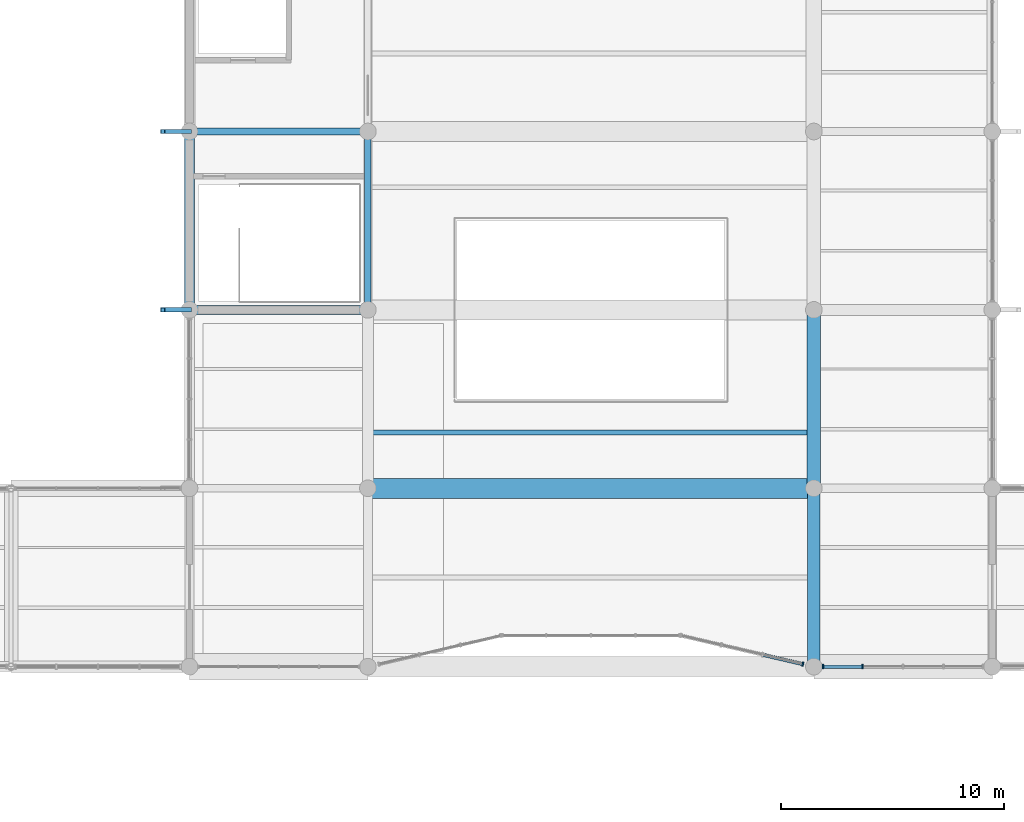
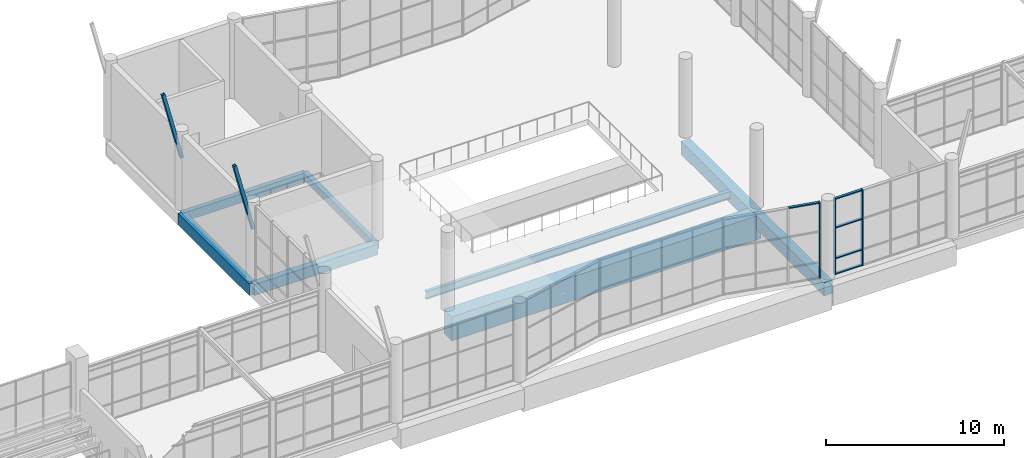
# One storey, part 25 of 122: 10 members, 8 beams, 2 elements without a shape of their own.
"""IFC4 building model written with IfcOpenShell, lengths in metres."""

from ifc_helpers import new_model, si_unit, direction, frame, origin, origin_2d, place, context, subcontext, project, spatial, rectangle, hollow_rectangle, i_section, extrude, material, material_profile, profile_set, type_object, element, aggregate, save


model = new_model("IFC4")

# Units and contexts
model_context = context("Model", 3, precision=1e-05, world=origin(), true_north=direction((0.0, 1.0)))
body_context = subcontext(model_context, "Body", "Model", "MODEL_VIEW")
ifc_project = project(units=[si_unit("LENGTHUNIT", "METRE"), si_unit("AREAUNIT", "SQUARE_METRE"), si_unit("VOLUMEUNIT", "CUBIC_METRE"), si_unit("PLANEANGLEUNIT", "RADIAN"), si_unit("MASSUNIT", "GRAM", prefix="KILO")], contexts=[model_context])

# Site, building, storey
site_placement = place(None, origin())
site = spatial("IfcSite", under=ifc_project, at=site_placement, CompositionType="ELEMENT")
building_placement = place(site_placement, origin())
building = spatial("IfcBuilding", under=site, at=building_placement, Name="Tenunan Teduh Sports Hall", CompositionType="ELEMENT")
storey_placement = place(building_placement, frame((0.0, 0.0, 5.39990234375)))
storey = spatial("IfcBuildingStorey", under=building, at=storey_placement, Name="L01", CompositionType="ELEMENT", Elevation=5.39990234375)

# Beams
ifc_material_1 = material(Name="Concrete C40/50", Category="concrete")
ifc_material_profile_1 = material_profile(ifc_material_1, rectangle(XDim=0.300048828125, YDim=0.5, at=origin_2d()), Name="RCB 300x500")
ifc_profile_set_1 = profile_set([ifc_material_profile_1], Name="Concrete C40/50")
beam_type_1 = type_object("IfcBeamType", Name="BM-RC-300x500", PredefinedType="BEAM", material=ifc_profile_set_1)
beam_1_placement = place(storey_placement, frame((78.0, 54.0, -0.60986328125), z_axis=(0.0, 1.0, 0.0), x_axis=(-1.0, 0.0, 0.0)))
element("IfcBeam", 1, at=beam_1_placement, inside=storey, type_object=beam_type_1, Name="BM-B-01-L01-1241", PredefinedType="BEAM", context=body_context, shape_type="SweptSolid", body=[
    extrude(rectangle(XDim=0.300048828125, YDim=0.5, at=origin_2d()), origin(), (0.0, 0.0, 1.0), 8.0),
])
ifc_material_2 = material(Name="Concrete C40/50", Category="concrete")
ifc_material_profile_2 = material_profile(ifc_material_2, rectangle(XDim=0.300048828125, YDim=0.60009765625, at=origin_2d()), Name="RCB 300x600")
ifc_profile_set_2 = profile_set([ifc_material_profile_2], Name="Concrete C40/50")
beam_type_2 = type_object("IfcBeamType", Name="BM-RC-300x600", PredefinedType="BEAM", material=ifc_profile_set_2)
beam_2_placement = place(storey_placement, frame((70.0, 62.0, -0.659912109375), z_axis=(1.0, 0.0, 0.0), x_axis=(0.0, 1.0, 0.0)))
element("IfcBeam", 2, at=beam_2_placement, inside=storey, type_object=beam_type_2, Name="BM-B-03-L01-1091", PredefinedType="BEAM", context=body_context, shape_type="SweptSolid", body=[
    extrude(rectangle(XDim=0.300048828125, YDim=0.60009765625, at=origin_2d()), origin(), (0.0, 0.0, 1.0), 8.0),
])
ifc_material_3 = material(Name="Concrete C40/50", Category="concrete")
ifc_material_profile_3 = material_profile(ifc_material_3, rectangle(XDim=0.39990234375, YDim=0.75, at=origin_2d()), Name="RCB 400x750")
ifc_profile_set_3 = profile_set([ifc_material_profile_3], Name="Concrete C40/50")
beam_type_3 = type_object("IfcBeamType", Name="BM-RC-400x750", PredefinedType="BEAM", material=ifc_profile_set_3)
beam_3_placement = place(storey_placement, frame((70.0, 54.0, -0.73486328125), z_axis=(1.0, 0.0, 0.0), x_axis=(0.0, 1.0, 0.0)))
element("IfcBeam", 3, at=beam_3_placement, inside=storey, type_object=beam_type_3, Name="BM-B-09-L01-1088", PredefinedType="BEAM", context=body_context, shape_type="SweptSolid", body=[
    extrude(rectangle(XDim=0.39990234375, YDim=0.75, at=origin_2d()), origin(), (0.0, 0.0, 1.0), 8.0),
])
ifc_material_4 = material(Name="Concrete C40/50", Category="concrete")
ifc_material_profile_4 = material_profile(ifc_material_4, rectangle(XDim=0.449951171875, YDim=0.800048828125, at=origin_2d()), Name="RCB 450x800")
ifc_profile_set_4 = profile_set([ifc_material_profile_4], Name="Concrete C40/50")
beam_type_4 = type_object("IfcBeamType", Name="BM-RC-450x800", PredefinedType="BEAM", material=ifc_profile_set_4)
beam_4_placement = place(storey_placement, frame((70.0, 54.0, -0.760009765625), z_axis=(0.0, 1.0, 0.0), x_axis=(-1.0, 0.0, 0.0)))
element("IfcBeam", 4, at=beam_4_placement, inside=storey, type_object=beam_type_4, Name="BM-B-12-L01-1233", PredefinedType="BEAM", context=body_context, shape_type="SweptSolid", body=[
    extrude(rectangle(XDim=0.449951171875, YDim=0.800048828125, at=origin_2d()), origin(), (0.0, 0.0, 1.0), 8.0),
])
ifc_material_5 = material(Name="Concrete C40/50", Category="concrete")
ifc_material_profile_5 = material_profile(ifc_material_5, rectangle(XDim=0.550048828125, YDim=0.89990234375, at=origin_2d()), Name="RCB 550x900")
ifc_profile_set_5 = profile_set([ifc_material_profile_5], Name="Concrete C40/50")
beam_type_5 = type_object("IfcBeamType", Name="BM-RC-550x900", PredefinedType="BEAM", material=ifc_profile_set_5)
beam_5_placement = place(storey_placement, frame((98.0, 38.0, -0.809814453125), z_axis=(0.0, 1.0, 0.0), x_axis=(-1.0, 0.0, 0.0)))
element("IfcBeam", 5, at=beam_5_placement, inside=storey, type_object=beam_type_5, Name="BM-B-16-L01-1246", PredefinedType="BEAM", context=body_context, shape_type="SweptSolid", body=[
    extrude(rectangle(XDim=0.550048828125, YDim=0.89990234375, at=origin_2d()), origin(), (0.0, 0.0, 1.0), 8.0),
])
ifc_material_6 = material(Name="Concrete C40/50", Category="concrete")
ifc_material_profile_6 = material_profile(ifc_material_6, rectangle(XDim=0.60009765625, YDim=0.89990234375, at=origin_2d()), Name="RCB 600x900")
ifc_profile_set_6 = profile_set([ifc_material_profile_6], Name="Concrete C40/50")
beam_type_6 = type_object("IfcBeamType", Name="BM-RC-600x900", PredefinedType="BEAM", material=ifc_profile_set_6)
beam_6_placement = place(storey_placement, frame((98.0, 46.0, -0.809814453125), z_axis=(0.0, 1.0, 0.0), x_axis=(-1.0, 0.0, 0.0)))
element("IfcBeam", 6, at=beam_6_placement, inside=storey, type_object=beam_type_6, Name="BM-B-17-L01-1247", PredefinedType="BEAM", context=body_context, shape_type="SweptSolid", body=[
    extrude(rectangle(XDim=0.60009765625, YDim=0.89990234375, at=origin_2d()), origin(), (0.0, 0.0, 1.0), 8.0),
])

# Curtain wall, members
ifc_material_7 = material(Name="Anodised aluminium", Category="aluminium")
curtain_wall_type_1 = type_object("IfcCurtainWallType", Name="CW-UNIT-1", PredefinedType="NOTDEFINED", material=ifc_material_7)
curtain_wall_1_placement = place(storey_placement, origin())
curtain_wall_1 = element("IfcCurtainWall", 7, at=curtain_wall_1_placement, inside=storey, type_object=curtain_wall_type_1, Name="CW-CWM-200-L01-164", PredefinedType="NOTDEFINED")
ifc_material_8 = material(Name="Anodised aluminium", Category="aluminium")
ifc_material_profile_7 = material_profile(ifc_material_8, rectangle(XDim=0.070068359375, YDim=0.199951171875, at=origin_2d()), Name="CWM 70x200")
ifc_profile_set_7 = profile_set([ifc_material_profile_7], Name="Anodised aluminium")
member_type_1 = type_object("IfcMemberType", Name="CWM-200", PredefinedType="MULLION", material=ifc_profile_set_7)
member_1_placement = place(storey_placement, frame((98.409912109375, 38.0, 0.0), z_axis=(0.0, 0.0, 1.0), x_axis=(1.0, 0.0, 0.0)))
member_1 = element("IfcMember", 8, at=member_1_placement, type_object=member_type_1, Name="CW-01 mullion 1", PredefinedType="MULLION", context=body_context, shape_type="SweptSolid", body=[
    extrude(rectangle(XDim=0.070068359375, YDim=0.199951171875, at=origin_2d()), origin(), (0.0, 0.0, 1.0), 5.2001953125),
])
member_2_placement = place(storey_placement, frame((100.1875, 38.0, 0.0), z_axis=(0.0, 0.0, 1.0), x_axis=(1.0, 0.0, 0.0)))
member_2 = element("IfcMember", 9, at=member_2_placement, type_object=member_type_1, Name="CW-01 mullion 2", PredefinedType="MULLION", context=body_context, shape_type="SweptSolid", body=[
    extrude(rectangle(XDim=0.070068359375, YDim=0.199951171875, at=origin_2d()), origin(), (0.0, 0.0, 1.0), 5.2001953125),
])

# Curtain wall, member
ifc_material_9 = material(Name="Anodised aluminium", Category="aluminium")
curtain_wall_type_2 = type_object("IfcCurtainWallType", Name="CW-FOYER-1", PredefinedType="NOTDEFINED", material=ifc_material_9)
curtain_wall_2_placement = place(storey_placement, origin())
curtain_wall_2 = element("IfcCurtainWall", 10, at=curtain_wall_2_placement, inside=storey, type_object=curtain_wall_type_2, Name="CW-CWM-200-L01-168", PredefinedType="NOTDEFINED")
member_3_placement = place(storey_placement, frame((97.50537109375, 38.115478515625, 0.0), z_axis=(0.0, 0.0, 1.0), x_axis=(-0.973842091381, 0.227225837122, 0.0)))
member_3 = element("IfcMember", 11, at=member_3_placement, type_object=member_type_1, Name="CW-04 mullion 4", PredefinedType="MULLION", context=body_context, shape_type="SweptSolid", body=[
    extrude(rectangle(XDim=0.070068359375, YDim=0.199951171875, at=origin_2d()), origin(), (0.0, 0.0, 1.0), 5.2001953125),
])

# Member
ifc_material_10 = material(Name="Anodised aluminium", Category="aluminium")
ifc_material_profile_8 = material_profile(ifc_material_10, rectangle(XDim=0.070068359375, YDim=0.159912109375, at=origin_2d()), Name="CWT 70x160")
ifc_profile_set_8 = profile_set([ifc_material_profile_8], Name="Anodised aluminium")
member_type_2 = type_object("IfcMemberType", Name="CWT-200", PredefinedType="USERDEFINED", material=ifc_profile_set_8)
member_4_placement = place(storey_placement, frame((98.445068359375, 38.0, 0.03515625), z_axis=(1.0, 0.0, 0.0), x_axis=(0.0, 0.0, 1.0)))
member_4 = element("IfcMember", 12, at=member_4_placement, type_object=member_type_2, Name="CW-01 transom 1.1", ObjectType="TRANSOM", PredefinedType="USERDEFINED", context=body_context, shape_type="SweptSolid", body=[
    extrude(rectangle(XDim=0.070068359375, YDim=0.159912109375, at=origin_2d()), origin(), (0.0, 0.0, 1.0), 1.70751953125),
])

member_5_placement = place(storey_placement, frame((98.445068359375, 38.0, 1.10009765625), z_axis=(1.0, 0.0, 0.0), x_axis=(0.0, 0.0, 1.0)))
member_5 = element("IfcMember", 13, at=member_5_placement, type_object=member_type_2, Name="CW-01 transom 1.2", ObjectType="TRANSOM", PredefinedType="USERDEFINED", context=body_context, shape_type="SweptSolid", body=[
    extrude(rectangle(XDim=0.070068359375, YDim=0.159912109375, at=origin_2d()), origin(), (0.0, 0.0, 1.0), 1.70751953125),
])

member_6_placement = place(storey_placement, frame((98.445068359375, 38.0, 3.2001953125), z_axis=(1.0, 0.0, 0.0), x_axis=(0.0, 0.0, 1.0)))
member_6 = element("IfcMember", 14, at=member_6_placement, type_object=member_type_2, Name="CW-01 transom 1.3", ObjectType="TRANSOM", PredefinedType="USERDEFINED", context=body_context, shape_type="SweptSolid", body=[
    extrude(rectangle(XDim=0.070068359375, YDim=0.159912109375, at=origin_2d()), origin(), (0.0, 0.0, 1.0), 1.70751953125),
])

member_7_placement = place(storey_placement, frame((98.445068359375, 38.0, 5.1650390625), z_axis=(1.0, 0.0, 0.0), x_axis=(0.0, 0.0, 1.0)))
member_7 = element("IfcMember", 15, at=member_7_placement, type_object=member_type_2, Name="CW-01 transom 1.4", ObjectType="TRANSOM", PredefinedType="USERDEFINED", context=body_context, shape_type="SweptSolid", body=[
    extrude(rectangle(XDim=0.070068359375, YDim=0.159912109375, at=origin_2d()), origin(), (0.0, 0.0, 1.0), 1.70751953125),
])

aggregate(curtain_wall_1, [member_1, member_2, member_4, member_5, member_6, member_7])

member_8_placement = place(storey_placement, frame((95.72705078125, 38.5302734375, 5.1650390625), z_axis=(0.973839198724, -0.227238234081, 0.0), x_axis=(0.0, 0.0, 1.0)))
member_8 = element("IfcMember", 16, at=member_8_placement, type_object=member_type_2, Name="CW-04 transom 3.4", ObjectType="TRANSOM", PredefinedType="USERDEFINED", context=body_context, shape_type="SweptSolid", body=[
    extrude(rectangle(XDim=0.070068359375, YDim=0.159912109375, at=origin_2d()), origin(), (0.0, 0.0, 1.0), 1.791015625),
])

aggregate(curtain_wall_2, [member_3, member_8])

# Members
ifc_material_11 = material(Name="Steel S355", Category="steel")
ifc_material_profile_9 = material_profile(ifc_material_11, hollow_rectangle(XDim=0.199951171875, YDim=0.199951171875, WallThickness=0.010009765625, at=origin_2d()), Name="SHS 200x200x10.0")
ifc_profile_set_9 = profile_set([ifc_material_profile_9], Name="Steel S355")
member_type_3 = type_object("IfcMemberType", Name="MEM-ST-SHS200", PredefinedType="STRUT", material=ifc_profile_set_9)
for number, where, z_axis, x_axis, name in (
    (17, (70.0, 54.0, 3.400146484375), (-0.246390798262, 0.0, 0.969170560083), (0.0, -1.0, 0.0), "MEM-VS-02-L01-0881"),
    (18, (70.0, 62.0, 3.400146484375), (-0.246390798262, 0.0, 0.969170560083), (0.0, -1.0, 0.0), "MEM-VS-02-L01-0892"),
):
    element("IfcMember", number, at=place(storey_placement, frame(where, z_axis=z_axis, x_axis=x_axis)), inside=storey, type_object=member_type_3, Name=name, PredefinedType="STRUT", context=body_context, shape_type="SweptSolid", body=[
        extrude(hollow_rectangle(XDim=0.199951171875, YDim=0.199951171875, WallThickness=0.010009765625, at=origin_2d()), origin(), (0.0, 0.0, 1.0), 4.8701171875),
    ])

# Beams
ifc_material_12 = material(Name="Post-tensioned concrete C50/60", Category="concrete")
ifc_material_profile_10 = material_profile(ifc_material_12, rectangle(XDim=0.89990234375, YDim=1.64990234375, at=origin_2d()), Name="PTG 900x1650")
ifc_profile_set_10 = profile_set([ifc_material_profile_10], Name="Post-tensioned concrete C50/60")
beam_type_7 = type_object("IfcBeamType", Name="PTG-900x1650", PredefinedType="USERDEFINED", material=ifc_profile_set_10)
beam_7_placement = place(storey_placement, frame((78.0, 46.0, -1.184814453125), z_axis=(1.0, 0.0, 0.0), x_axis=(0.0, 1.0, 0.0)))
element("IfcBeam", 19, at=beam_7_placement, inside=storey, type_object=beam_type_7, Name="Post-Tensioned Transfer Girder BM-PTG-04-L01-0033", ObjectType="TRANSFER GIRDER", PredefinedType="USERDEFINED", context=body_context, shape_type="SweptSolid", body=[
    extrude(rectangle(XDim=0.89990234375, YDim=1.64990234375, at=origin_2d()), origin(), (0.0, 0.0, 1.0), 20.0),
])
ifc_material_13 = material(Name="Steel S355", Category="steel")
ifc_material_profile_11 = material_profile(ifc_material_13, i_section(OverallWidth=0.2099609375, OverallDepth=0.53662109375, WebThickness=0.0107421875, FlangeThickness=0.017333984375, FilletRadius=0.0126953125, at=origin_2d()), Name="UKB 533x210x101")
ifc_profile_set_11 = profile_set([ifc_material_profile_11], Name="Steel S355")
beam_type_8 = type_object("IfcBeamType", Name="SBM-UKB533", PredefinedType="BEAM", material=ifc_profile_set_11)
beam_8_placement = place(storey_placement, frame((78.0, 48.5, -0.628173828125), z_axis=(1.0, 0.0, 0.0), x_axis=(0.0, 1.0, 0.0)))
element("IfcBeam", 20, at=beam_8_placement, inside=storey, type_object=beam_type_8, Name="BM-SB-05-L01-0038", PredefinedType="BEAM", context=body_context, shape_type="SweptSolid", body=[
    extrude(i_section(OverallWidth=0.2099609375, OverallDepth=0.53662109375, WebThickness=0.0107421875, FlangeThickness=0.017333984375, FilletRadius=0.0126953125, at=origin_2d()), origin(), (0.0, 0.0, 1.0), 20.0),
])

save(model, "model.ifc")
